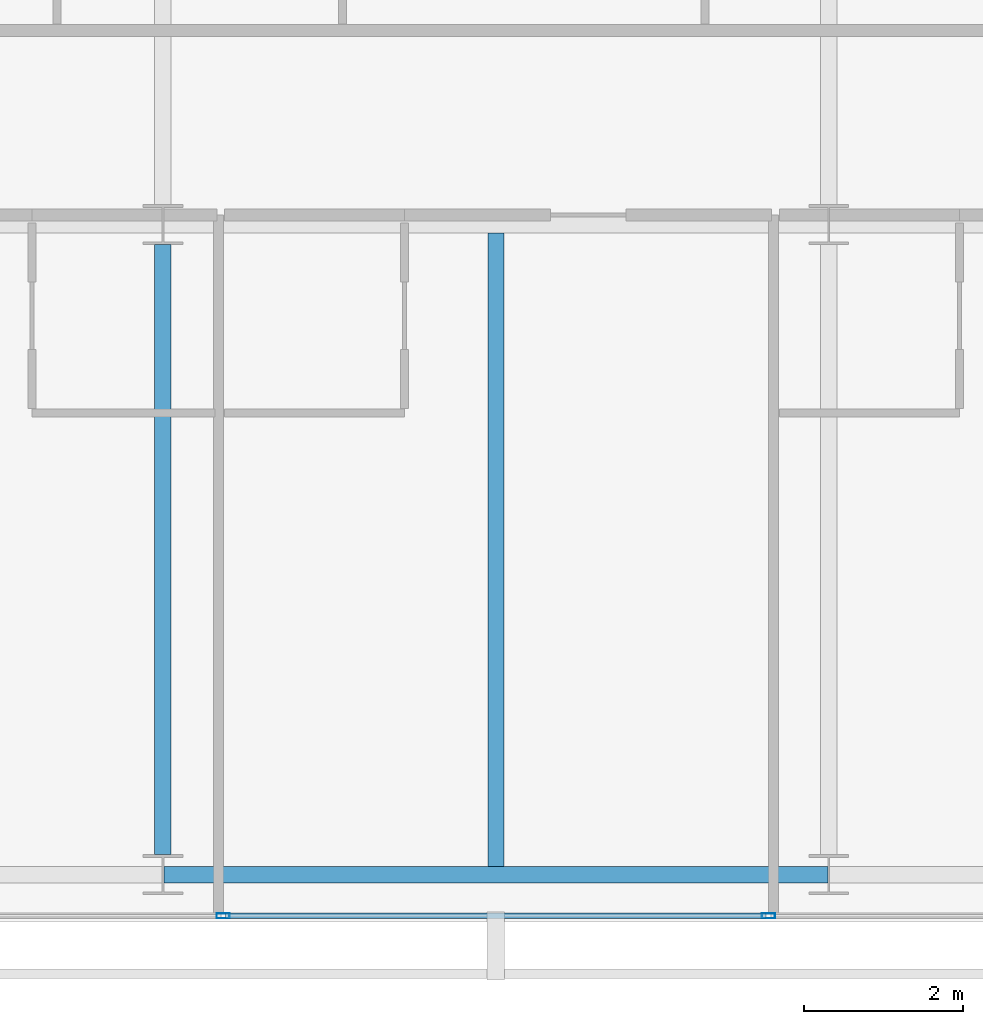
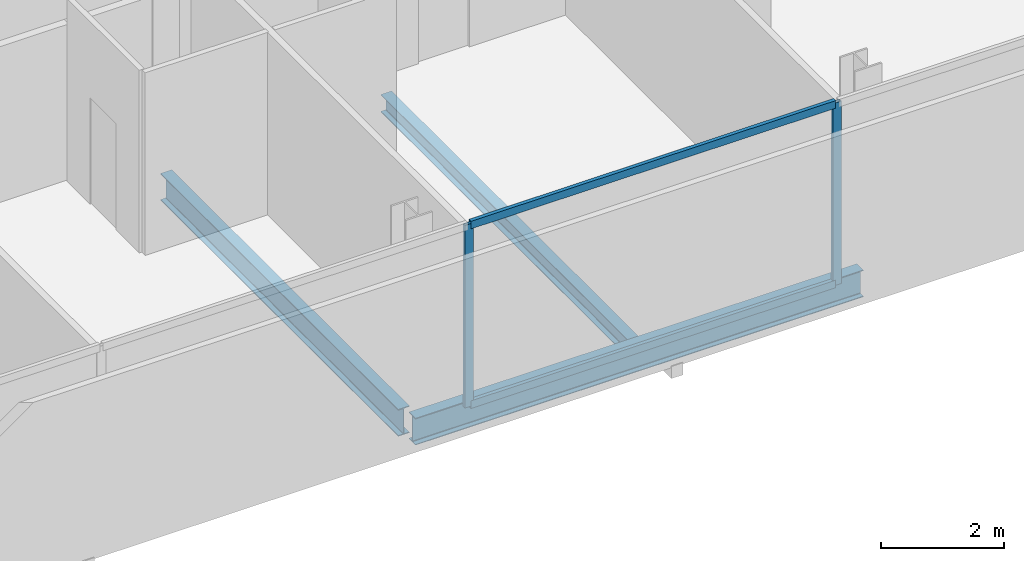
# One storey, part 6 of 25: 4 members, 3 beams, 1 element without a shape of its own.
"""IFC4 building model written with IfcOpenShell, lengths in metres."""

from ifc_helpers import new_model, si_unit, direction, frame, origin, origin_2d, place, context, subcontext, project, spatial, hollow_rectangle, i_section, extrude, material, layer, layer_set, material_profile, profile_set, type_object, element, aggregate, save


model = new_model("IFC4")

# Units and contexts
model_context = context("Model", 3, precision=1e-05, world=origin(), true_north=direction((0.0, 1.0)))
body_context = subcontext(model_context, "Body", "Model", "MODEL_VIEW")
ifc_project = project(units=[si_unit("LENGTHUNIT", "METRE"), si_unit("AREAUNIT", "SQUARE_METRE"), si_unit("VOLUMEUNIT", "CUBIC_METRE"), si_unit("PLANEANGLEUNIT", "RADIAN"), si_unit("MASSUNIT", "GRAM", prefix="KILO")], contexts=[model_context])

# Site, building, storey
site_placement = place(None, origin())
site = spatial("IfcSite", under=ifc_project, at=site_placement, CompositionType="ELEMENT")
building_placement = place(site_placement, origin())
building = spatial("IfcBuilding", under=site, at=building_placement, Name="Maruvema Waterfront Hotel and Observation Tower", CompositionType="ELEMENT")
storey_placement = place(building_placement, frame((0.0, 0.0, 270.199951171875)))
storey = spatial("IfcBuildingStorey", under=building, at=storey_placement, Name="L66", CompositionType="ELEMENT", Elevation=270.199951171875)

# Curtain wall, members
ifc_material_1 = material(Name="Anodised bronze aluminium and solar-control low-E IGU", Category="aluminium")
ifc_layer = layer(ifc_material_1, 0.159912109375, Name="Zone 3 Champagne Inner Thermal Curtain Wall System CW-04")
ifc_layer_set = layer_set([ifc_layer], Name="Anodised bronze aluminium and solar-control low-E IGU")
curtain_wall_type = type_object("IfcCurtainWallType", Name="Zone 3 Champagne Inner Thermal Curtain Wall System CW-04", PredefinedType="USERDEFINED", material=ifc_layer_set)
curtain_wall_placement = place(storey_placement, origin())
curtain_wall = element("IfcCurtainWall", 1, at=curtain_wall_placement, inside=storey, type_object=curtain_wall_type, Name="L66 Curtain Wall CW-L66-S", ObjectType="UNITISED CURTAIN WALL", PredefinedType="USERDEFINED")
ifc_material_2 = material(Name="Anodised architectural bronze aluminium", Category="aluminium")
ifc_material_profile_1 = material_profile(ifc_material_2, hollow_rectangle(XDim=0.070068359375, YDim=0.14990234375, WallThickness=0.00390625, at=origin_2d()), Name="ALU-T70x150")
ifc_profile_set_1 = profile_set([ifc_material_profile_1], Name="Anodised architectural bronze aluminium")
member_type_1 = type_object("IfcMemberType", Name="Curtain Wall Horizontal Transom ALU-T70x150", PredefinedType="USERDEFINED", material=ifc_profile_set_1)
member_1_placement = place(storey_placement, frame((34.389892578125, 9.280029296875, 0.030029296875), z_axis=(1.0, 0.0, 0.0), x_axis=(0.0, 1.0, 0.0)))
member_1 = element("IfcMember", 2, at=member_1_placement, type_object=member_type_1, Name="CW-04 transom 3.1", ObjectType="TRANSOM", PredefinedType="USERDEFINED", context=body_context, shape_type="SweptSolid", body=[
    extrude(hollow_rectangle(XDim=0.070068359375, YDim=0.14990234375, WallThickness=0.00390625, at=origin_2d()), origin(), (0.0, 0.0, 1.0), 6.820068359375),
])
member_2_placement = place(storey_placement, frame((34.389892578125, 9.280029296875, 3.580078125), z_axis=(1.0, 0.0, 0.0), x_axis=(0.0, 1.0, 0.0)))
member_2 = element("IfcMember", 3, at=member_2_placement, type_object=member_type_1, Name="CW-04 transom 3.2", ObjectType="TRANSOM", PredefinedType="USERDEFINED", context=body_context, shape_type="SweptSolid", body=[
    extrude(hollow_rectangle(XDim=0.070068359375, YDim=0.14990234375, WallThickness=0.00390625, at=origin_2d()), origin(), (0.0, 0.0, 1.0), 6.820068359375),
])
ifc_material_3 = material(Name="Anodised architectural bronze aluminium", Category="aluminium")
ifc_material_profile_2 = material_profile(ifc_material_3, hollow_rectangle(XDim=0.06494140625, YDim=0.1650390625, WallThickness=0.00390625, at=origin_2d()), Name="ALU-M65x165")
ifc_profile_set_2 = profile_set([ifc_material_profile_2], Name="Anodised architectural bronze aluminium")
member_type_2 = type_object("IfcMemberType", Name="Curtain Wall Primary Mullion ALU-M65x165", PredefinedType="MULLION", material=ifc_profile_set_2)
member_3_placement = place(storey_placement, frame((34.360107421875, 9.280029296875, 0.0), z_axis=(0.0, 0.0, 1.0), x_axis=(0.0, 1.0, 0.0)))
member_3 = element("IfcMember", 4, at=member_3_placement, type_object=member_type_2, Name="CW-04 mullion 3", PredefinedType="MULLION", context=body_context, shape_type="SweptSolid", body=[
    extrude(hollow_rectangle(XDim=0.06494140625, YDim=0.1650390625, WallThickness=0.00390625, at=origin_2d()), origin(), (0.0, 0.0, 1.0), 3.610107421875),
])
member_4_placement = place(storey_placement, frame((41.239990234375, 9.280029296875, 0.0), z_axis=(0.0, 0.0, 1.0), x_axis=(0.0, 1.0, 0.0)))
member_4 = element("IfcMember", 5, at=member_4_placement, type_object=member_type_2, Name="CW-04 mullion 4", PredefinedType="MULLION", context=body_context, shape_type="SweptSolid", body=[
    extrude(hollow_rectangle(XDim=0.06494140625, YDim=0.1650390625, WallThickness=0.00390625, at=origin_2d()), origin(), (0.0, 0.0, 1.0), 3.610107421875),
])
aggregate(curtain_wall, [member_3, member_4, member_1, member_2])

# Beams
ifc_material_4 = material(Name="Steel ASTM A572 Grade 50", Category="steel")
ifc_material_profile_3 = material_profile(ifc_material_4, i_section(OverallWidth=0.208984375, OverallDepth=0.532958984375, WebThickness=0.01025390625, FlangeThickness=0.015625, FilletRadius=0.014892578125, at=origin_2d()), Name="W530x92.0")
ifc_profile_set_3 = profile_set([ifc_material_profile_3], Name="Steel ASTM A572 Grade 50")
beam_type_1 = type_object("IfcBeamType", Name="Primary Floor Girder W530x92.0", PredefinedType="BEAM", material=ifc_profile_set_3)
beam_1_placement = place(storey_placement, frame((33.611083984375, 9.800048828125, -0.50634765625), z_axis=(1.0, 0.0, 0.0), x_axis=(0.0, 1.0, 0.0)))
element("IfcBeam", 6, at=beam_1_placement, inside=storey, type_object=beam_type_1, Name="L66 Floor Girder EW-02", PredefinedType="BEAM", context=body_context, shape_type="SweptSolid", body=[
    extrude(i_section(OverallWidth=0.208984375, OverallDepth=0.532958984375, WebThickness=0.01025390625, FlangeThickness=0.015625, FilletRadius=0.014892578125, at=origin_2d()), origin(), (0.0, 0.0, 1.0), 8.3779296875),
])
beam_2_placement = place(storey_placement, frame((33.60009765625, 10.050048828125, -0.50634765625), z_axis=(0.0, 1.0, 0.0), x_axis=(-1.0, 0.0, 0.0)))
element("IfcBeam", 7, at=beam_2_placement, inside=storey, type_object=beam_type_1, Name="L66 Floor Girder NS-08", PredefinedType="BEAM", context=body_context, shape_type="SweptSolid", body=[
    extrude(i_section(OverallWidth=0.208984375, OverallDepth=0.532958984375, WebThickness=0.01025390625, FlangeThickness=0.015625, FilletRadius=0.014892578125, at=origin_2d()), origin(), (0.0, 0.0, 1.0), 7.699951171875),
])
ifc_material_5 = material(Name="Steel ASTM A572 Grade 50", Category="steel")
ifc_material_profile_4 = material_profile(ifc_material_5, i_section(OverallWidth=0.202880859375, OverallDepth=0.346923828125, WebThickness=0.0078125, FlangeThickness=0.013427734375, FilletRadius=0.014892578125, at=origin_2d()), Name="W360x64.0")
ifc_profile_set_4 = profile_set([ifc_material_profile_4], Name="Steel ASTM A572 Grade 50")
beam_type_2 = type_object("IfcBeamType", Name="Secondary Floor Joist W360x64.0", PredefinedType="JOIST", material=ifc_profile_set_4)
beam_3_placement = place(storey_placement, frame((37.800048828125, 9.904541015625, -0.413330078125), z_axis=(0.0, 1.0, 0.0), x_axis=(-1.0, 0.0, 0.0)))
element("IfcBeam", 8, at=beam_3_placement, inside=storey, type_object=beam_type_2, Name="L66 Secondary Floor Joist JS-05", PredefinedType="JOIST", context=body_context, shape_type="SweptSolid", body=[
    extrude(i_section(OverallWidth=0.202880859375, OverallDepth=0.346923828125, WebThickness=0.0078125, FlangeThickness=0.013427734375, FilletRadius=0.014892578125, at=origin_2d()), origin(), (0.0, 0.0, 1.0), 7.990966796875),
])

save(model, "model.ifc")
